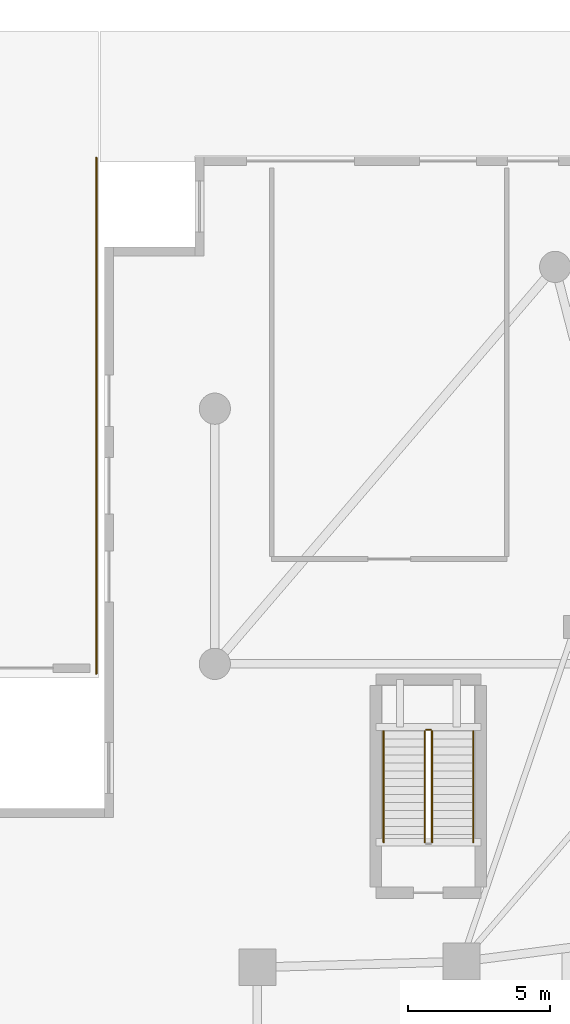
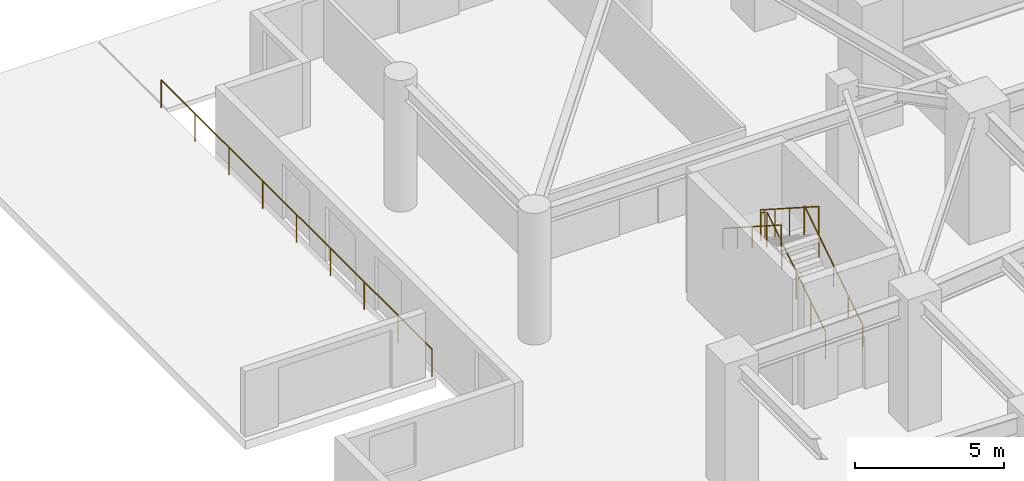
# One storey, part 21 of 24: 6 railings.
"""IFC4 building model written with IfcOpenShell, lengths in metres."""

import ifcopenshell
import ifcopenshell.guid

model = None  # the IFC model being written
_history = None  # IfcOwnerHistory: only IFC2X3 demands one
_inside = {}  # id of a spatial element -> (the spatial element, [elements in it])
_under = {}  # id of a project, library or spatial element -> (it, [spatial elements below it])
_declared = {}  # id of a project -> (the project, [libraries it declares])
_typed = {}  # id of a type object -> (the type object, [elements of that type])
_made_of = {}  # id of a material, layer set ... -> (it, [elements and type objects made of it])


def new_model(schema):
    """Start an empty IFC model of exactly this schema.

    Asked for "IFC4X3", IfcOpenShell would pick the latest addendum, in which some entities
    have other attributes; the version numbers below select the first issue.
    IFC2X3 requires an IfcOwnerHistory on every rooted entity: one is made here for all.
    """
    global model, _history
    if schema == "IFC4X3":
        model = ifcopenshell.file(schema_version=(4, 3, 0, 0))
    else:
        model = ifcopenshell.file(schema=schema)
    _inside.clear()
    _under.clear()
    _declared.clear()
    _typed.clear()
    _made_of.clear()
    _history = None
    if model.schema == "IFC2X3":
        org = make("IfcOrganization", Name="unknown")
        user = make(
            "IfcPersonAndOrganization",
            ThePerson=make("IfcPerson", FamilyName="unknown"),
            TheOrganization=org,
        )
        app = make(
            "IfcApplication",
            ApplicationDeveloper=org,
            Version="unknown",
            ApplicationFullName="unknown",
            ApplicationIdentifier="unknown",
        )
        _history = make(
            "IfcOwnerHistory",
            OwningUser=user,
            OwningApplication=app,
            ChangeAction="ADDED",
            CreationDate=0,
        )
    return model


def make(cls, **values):
    """One entity of the class cls with the attributes given. An attribute that is None is left unset."""
    return model.create_entity(
        cls, **{name: value for name, value in values.items() if value is not None}
    )


def rooted(cls, **values):
    """An entity with a GlobalId (a new one), such as an element, a storey or a relation."""
    return make(cls, GlobalId=ifcopenshell.guid.new(), OwnerHistory=_history, **values)


def si_unit(unit_type, name, prefix=None):
    """IfcSIUnit, for example si_unit("LENGTHUNIT", "METRE", prefix="MILLI")."""
    return make("IfcSIUnit", UnitType=unit_type, Prefix=prefix, Name=name)


def assignment(units):
    """IfcUnitAssignment: the units of a project."""
    return None if units is None else make("IfcUnitAssignment", Units=units)


def point(xyz):
    """IfcCartesianPoint."""
    return None if xyz is None else make("IfcCartesianPoint", Coordinates=xyz)


def direction(xyz):
    """IfcDirection."""
    return None if xyz is None else make("IfcDirection", DirectionRatios=xyz)


def frame(location, z_axis=None, x_axis=None):
    """IfcAxis2Placement3D, a coordinate frame: its origin and axes. An axis left out is left unset."""
    return make(
        "IfcAxis2Placement3D",
        Location=point(location),
        Axis=direction(z_axis),
        RefDirection=direction(x_axis),
    )


def frame_2d(location, x_axis=None):
    """IfcAxis2Placement2D, a coordinate frame in the plane: its origin and x axis."""
    return make(
        "IfcAxis2Placement2D", Location=point(location), RefDirection=direction(x_axis)
    )


def origin():
    """The frame at (0, 0, 0) with its axes left unset."""
    return frame((0.0, 0.0, 0.0))


def origin_2d():
    """The frame at (0, 0) in the plane with its x axis left unset."""
    return frame_2d((0.0, 0.0))


def place(relative_to, where):
    """IfcLocalPlacement: puts the frame where relative to a parent placement (None: the world)."""
    return make(
        "IfcLocalPlacement", PlacementRelTo=relative_to, RelativePlacement=where
    )


def context(
    kind, dimensions, precision=None, world=None, true_north=None, identifier=None
):
    """IfcGeometricRepresentationContext, for example the 3D "Model" context."""
    return make(
        "IfcGeometricRepresentationContext",
        ContextIdentifier=identifier,
        ContextType=kind,
        CoordinateSpaceDimension=dimensions,
        Precision=precision,
        WorldCoordinateSystem=world,
        TrueNorth=true_north,
    )


def subcontext(parent, identifier, kind, view, scale=None):
    """IfcGeometricRepresentationSubContext, for example "Body" below "Model"."""
    return make(
        "IfcGeometricRepresentationSubContext",
        ContextIdentifier=identifier,
        ContextType=kind,
        ParentContext=parent,
        TargetScale=scale,
        TargetView=view,
    )


def project(units=None, contexts=None):
    """IfcProject with its units and contexts."""
    return rooted(
        "IfcProject",
        Name="project",
        RepresentationContexts=contexts,
        UnitsInContext=assignment(units),
    )


def spatial(cls, under=None, at=None, **own):
    """A site, building, storey or space (cls), placed at a placement, below another one or the project."""
    s = rooted(cls, ObjectPlacement=at, **own)
    if under is not None:
        _under.setdefault(under.id(), (under, []))[1].append(s)
    return s


def profile(cls, at=None, kind="AREA", **sizes):
    """A parametric profile (cls). Its sizes go by their IFC names, for example OverallWidth=200.0."""
    return make(cls, ProfileType=kind, Position=at, **sizes)


def circle(**sizes):
    """IfcCircleProfileDef."""
    return profile("IfcCircleProfileDef", **sizes)


def extrude(swept, where, along, depth):
    """IfcExtrudedAreaSolid: the profile swept, set in the frame where, extruded along a direction by depth."""
    return make(
        "IfcExtrudedAreaSolid",
        SweptArea=swept,
        Position=where,
        ExtrudedDirection=direction(along),
        Depth=depth,
    )


def shape(context_of_items, identifier, shape_type, items):
    """IfcShapeRepresentation: the items that make up one representation, for example the "Body"."""
    return make(
        "IfcShapeRepresentation",
        ContextOfItems=context_of_items,
        RepresentationIdentifier=identifier,
        RepresentationType=shape_type,
        Items=items,
    )


def material(Name=None, Category=None):
    """IfcMaterial."""
    return make("IfcMaterial", Name=Name, Category=Category)


def made_of(thing, what):
    """Note that an element or type object is made of a material, layer set ...; save() writes the relation."""
    if what is not None:
        _made_of.setdefault(what.id(), (what, []))[1].append(thing)
    return thing


def type_object(cls, material=None, **own):
    """A type object (cls), such as IfcWallType, which elements share."""
    return made_of(rooted(cls, **own), material)


def element(
    cls,
    number,
    at=None,
    inside=None,
    cuts=None,
    type_object=None,
    material=None,
    context=None,
    identifier="Body",
    shape_type=None,
    held_by="IfcProductDefinitionShape",
    body=None,
    shapes=None,
    **own,
):
    """One element of the class cls, such as IfcWall. Its Tag is "e" and its number.

    at: its placement. inside: the storey or other place that contains it. cuts: it is an
    opening in that element (IfcRelVoidsElement). A single representation is given by context,
    identifier, shape_type and body (its items); several are given by shapes. held_by: the class
    of the entity that holds the representations. save() writes the other relations.
    """
    e = rooted(cls, Tag="e%d" % number, ObjectPlacement=at, **own)
    if body is not None:
        shapes = [shape(context, identifier, shape_type, body)]
    if shapes is not None:
        e.Representation = make(held_by, Representations=shapes)
    if inside is not None:
        _inside.setdefault(inside.id(), (inside, []))[1].append(e)
    if cuts is not None:
        rooted(
            "IfcRelVoidsElement", RelatingBuildingElement=cuts, RelatedOpeningElement=e
        )
    if type_object is not None:
        _typed.setdefault(type_object.id(), (type_object, []))[1].append(e)
    return made_of(e, material)


def aggregate(whole, parts):
    """IfcRelAggregates: a whole, such as a stair, and the parts it consists of."""
    return rooted("IfcRelAggregates", RelatingObject=whole, RelatedObjects=parts)


def save(model, path):
    """Write the relations noted so far, then the file.

    IfcRelAggregates (storeys below a building ...), IfcRelContainedInSpatialStructure (elements
    in a storey), IfcRelDefinesByType, IfcRelAssociatesMaterial and IfcRelDeclares: one each for
    every whole, place, type object, material and project.
    """
    for whole, parts in _under.values():
        aggregate(whole, parts)
    for where, things in _inside.values():
        rooted(
            "IfcRelContainedInSpatialStructure",
            RelatedElements=things,
            RelatingStructure=where,
        )
    for kind, things in _typed.values():
        rooted("IfcRelDefinesByType", RelatedObjects=things, RelatingType=kind)
    for what, things in _made_of.values():
        rooted("IfcRelAssociatesMaterial", RelatedObjects=things, RelatingMaterial=what)
    for by, libraries in _declared.values():
        rooted("IfcRelDeclares", RelatingContext=by, RelatedDefinitions=libraries)
    model.write(path)


model = new_model("IFC4")

# Units and contexts
model_context = context("Model", 3, precision=1e-05, world=origin(), true_north=direction((0.0, 1.0)))
body_context = subcontext(model_context, "Body", "Model", "MODEL_VIEW")
ifc_project = project(units=[si_unit("LENGTHUNIT", "METRE"), si_unit("AREAUNIT", "SQUARE_METRE"), si_unit("VOLUMEUNIT", "CUBIC_METRE"), si_unit("PLANEANGLEUNIT", "RADIAN"), si_unit("MASSUNIT", "GRAM", prefix="KILO")], contexts=[model_context])

# Site, building, storey
site_placement = place(None, origin())
site = spatial("IfcSite", under=ifc_project, at=site_placement, CompositionType="ELEMENT")
building_placement = place(site_placement, origin())
building = spatial("IfcBuilding", under=site, at=building_placement, Name="Qingluan Cross Belvedere", CompositionType="ELEMENT")
storey_placement = place(building_placement, origin())
storey = spatial("IfcBuildingStorey", under=building, at=storey_placement, Name="L01", CompositionType="ELEMENT", Elevation=0.0)

# Railings
ifc_material_1 = material(Name="Brushed stainless steel tubular handrail", Category="steel")
railing_type_1 = type_object("IfcRailingType", Name="StairPitchHandrail_900", PredefinedType="HANDRAIL", material=ifc_material_1)
railing_1_placement = place(storey_placement, frame((-19.389892578125, 8.2099609375, 0.179931640625)))
element("IfcRailing", 1, at=railing_1_placement, inside=storey, type_object=railing_type_1, Name="L01 ST5 stair handrail 1", PredefinedType="HANDRAIL", context=body_context, shape_type="SweptSolid", body=[
    extrude(circle(Radius=0.02392578125, at=origin_2d()), frame((0.0, 0.0, 0.8759765625), z_axis=(0.0, 0.841171666519, 0.540768182723), x_axis=(-1.0, 0.0, 0.0)), (0.0, 0.0, 1.0), 4.66015625),
    extrude(circle(Radius=0.02099609375, at=origin_2d()), origin(), (0.0, 0.0, 1.0), 0.851806640625),
    extrude(circle(Radius=0.02099609375, at=origin_2d()), frame((0.0, 0.97998046875, 0.6298828125)), (0.0, 0.0, 1.0), 0.851806640625),
    extrude(circle(Radius=0.02099609375, at=origin_2d()), frame((0.0, 1.9599609375, 1.260009765625)), (0.0, 0.0, 1.0), 0.851806640625),
    extrude(circle(Radius=0.02099609375, at=origin_2d()), frame((0.0, 2.93994140625, 1.89013671875)), (0.0, 0.0, 1.0), 0.851806640625),
    extrude(circle(Radius=0.02099609375, at=origin_2d()), frame((0.0, 3.919921875, 2.52001953125)), (0.0, 0.0, 1.0), 0.851806640625),
])
railing_2_placement = place(storey_placement, frame((-22.550048828125, 12.1298828125, 2.8798828125)))
element("IfcRailing", 2, at=railing_2_placement, inside=storey, type_object=railing_type_1, Name="L01 ST5 stair handrail 2", PredefinedType="HANDRAIL", context=body_context, shape_type="SweptSolid", body=[
    extrude(circle(Radius=0.02392578125, at=origin_2d()), frame((0.0, 0.0, 0.8759765625), z_axis=(0.0, -0.841171666519, 0.540768182723), x_axis=(1.0, 0.0, 0.0)), (0.0, 0.0, 1.0), 4.66015625),
    extrude(circle(Radius=0.02099609375, at=origin_2d()), origin(), (0.0, 0.0, 1.0), 0.851806640625),
    extrude(circle(Radius=0.02099609375, at=origin_2d()), frame((0.0, -0.97998046875, 0.6298828125)), (0.0, 0.0, 1.0), 0.851806640625),
    extrude(circle(Radius=0.02099609375, at=origin_2d()), frame((0.0, -1.9599609375, 1.260009765625)), (0.0, 0.0, 1.0), 0.851806640625),
    extrude(circle(Radius=0.02099609375, at=origin_2d()), frame((0.0, -2.93994140625, 1.89013671875)), (0.0, 0.0, 1.0), 0.851806640625),
    extrude(circle(Radius=0.02099609375, at=origin_2d()), frame((0.0, -3.919921875, 2.52001953125)), (0.0, 0.0, 1.0), 0.851806640625),
])
ifc_material_2 = material(Name="Painted steel stair well guard", Category="steel")
railing_type_2 = type_object("IfcRailingType", Name="StairWellGuard_1150", PredefinedType="BALUSTRADE", material=ifc_material_2)
railing_3_placement = place(storey_placement, frame((-20.840087890625, 8.2099609375, 0.179931640625)))
element("IfcRailing", 3, at=railing_3_placement, inside=storey, type_object=railing_type_2, Name="L01 ST5 stair guard 1", PredefinedType="BALUSTRADE", context=body_context, shape_type="SweptSolid", body=[
    extrude(circle(Radius=0.02392578125, at=origin_2d()), frame((0.0, 0.0, 1.1259765625), z_axis=(0.0, 0.841171666519, 0.540768182723), x_axis=(-1.0, 0.0, 0.0)), (0.0, 0.0, 1.0), 4.66015625),
    extrude(circle(Radius=0.02099609375, at=origin_2d()), origin(), (0.0, 0.0, 1.0), 1.101806640625),
    extrude(circle(Radius=0.02099609375, at=origin_2d()), frame((0.0, 0.97998046875, 0.6298828125)), (0.0, 0.0, 1.0), 1.101806640625),
    extrude(circle(Radius=0.02099609375, at=origin_2d()), frame((0.0, 1.9599609375, 1.260009765625)), (0.0, 0.0, 1.0), 1.101806640625),
    extrude(circle(Radius=0.02099609375, at=origin_2d()), frame((0.0, 2.93994140625, 1.89013671875)), (0.0, 0.0, 1.0), 1.101806640625),
    extrude(circle(Radius=0.02099609375, at=origin_2d()), frame((0.0, 3.919921875, 2.52001953125)), (0.0, 0.0, 1.0), 1.101806640625),
])
railing_4_placement = place(storey_placement, frame((-20.889892578125, 12.179931640625, 2.699951171875)))
element("IfcRailing", 4, at=railing_4_placement, inside=storey, type_object=railing_type_2, Name="L01 ST5 stair guard 2", PredefinedType="BALUSTRADE", context=body_context, shape_type="SweptSolid", body=[
    extrude(circle(Radius=0.02392578125, at=origin_2d()), frame((0.0, 0.0, 1.1259765625), z_axis=(-1.0, 0.0, 0.0), x_axis=(0.0, -1.0, 0.0)), (0.0, 0.0, 1.0), 0.16015625),
    extrude(circle(Radius=0.02099609375, at=origin_2d()), origin(), (0.0, 0.0, 1.0), 1.101806640625),
    extrude(circle(Radius=0.02099609375, at=origin_2d()), frame((-0.16015625, 0.0, 0.0)), (0.0, 0.0, 1.0), 1.101806640625),
])
railing_5_placement = place(storey_placement, frame((-21.10009765625, 12.1298828125, 2.8798828125)))
element("IfcRailing", 5, at=railing_5_placement, inside=storey, type_object=railing_type_2, Name="L01 ST5 stair guard 3", PredefinedType="BALUSTRADE", context=body_context, shape_type="SweptSolid", body=[
    extrude(circle(Radius=0.02392578125, at=origin_2d()), frame((0.0, 0.0, 1.1259765625), z_axis=(0.0, -0.841171666519, 0.540768182723), x_axis=(1.0, 0.0, 0.0)), (0.0, 0.0, 1.0), 4.66015625),
    extrude(circle(Radius=0.02099609375, at=origin_2d()), origin(), (0.0, 0.0, 1.0), 1.101806640625),
    extrude(circle(Radius=0.02099609375, at=origin_2d()), frame((0.0, -0.97998046875, 0.6298828125)), (0.0, 0.0, 1.0), 1.101806640625),
    extrude(circle(Radius=0.02099609375, at=origin_2d()), frame((0.0, -1.9599609375, 1.260009765625)), (0.0, 0.0, 1.0), 1.101806640625),
    extrude(circle(Radius=0.02099609375, at=origin_2d()), frame((0.0, -2.93994140625, 1.89013671875)), (0.0, 0.0, 1.0), 1.101806640625),
    extrude(circle(Radius=0.02099609375, at=origin_2d()), frame((0.0, -3.919921875, 2.52001953125)), (0.0, 0.0, 1.0), 1.101806640625),
])
ifc_material_3 = material(Name="Laminated glass and stainless steel balustrade", Category="steel")
railing_type_3 = type_object("IfcRailingType", Name="TerraceGuardBalustrade_1150", PredefinedType="BALUSTRADE", material=ifc_material_3)
railing_6_placement = place(storey_placement, frame((-32.679931640625, 14.14990234375, 0.0)))
element("IfcRailing", 6, at=railing_6_placement, inside=storey, type_object=railing_type_3, Name="Driveway apron protective guard L01-W", PredefinedType="BALUSTRADE", context=body_context, shape_type="SweptSolid", body=[
    extrude(circle(Radius=0.02392578125, at=origin_2d()), frame((0.0, 0.0, 1.1259765625), z_axis=(0.0, 1.0, 0.0), x_axis=(-1.0, 0.0, 0.0)), (0.0, 0.0, 1.0), 18.2001953125),
    extrude(circle(Radius=0.02099609375, at=origin_2d()), origin(), (0.0, 0.0, 1.0), 1.101806640625),
    extrude(circle(Radius=0.02099609375, at=origin_2d()), frame((0.0, 2.27490234375, 0.0)), (0.0, 0.0, 1.0), 1.101806640625),
    extrude(circle(Radius=0.02099609375, at=origin_2d()), frame((0.0, 4.550048828125, 0.0)), (0.0, 0.0, 1.0), 1.101806640625),
    extrude(circle(Radius=0.02099609375, at=origin_2d()), frame((0.0, 6.8251953125, 0.0)), (0.0, 0.0, 1.0), 1.101806640625),
    extrude(circle(Radius=0.02099609375, at=origin_2d()), frame((0.0, 9.10009765625, 0.0)), (0.0, 0.0, 1.0), 1.101806640625),
    extrude(circle(Radius=0.02099609375, at=origin_2d()), frame((0.0, 11.375, 0.0)), (0.0, 0.0, 1.0), 1.101806640625),
    extrude(circle(Radius=0.02099609375, at=origin_2d()), frame((0.0, 13.650146484375, 0.0)), (0.0, 0.0, 1.0), 1.101806640625),
    extrude(circle(Radius=0.02099609375, at=origin_2d()), frame((0.0, 15.92529296875, 0.0)), (0.0, 0.0, 1.0), 1.101806640625),
    extrude(circle(Radius=0.02099609375, at=origin_2d()), frame((0.0, 18.2001953125, 0.0)), (0.0, 0.0, 1.0), 1.101806640625),
])

save(model, "model.ifc")
